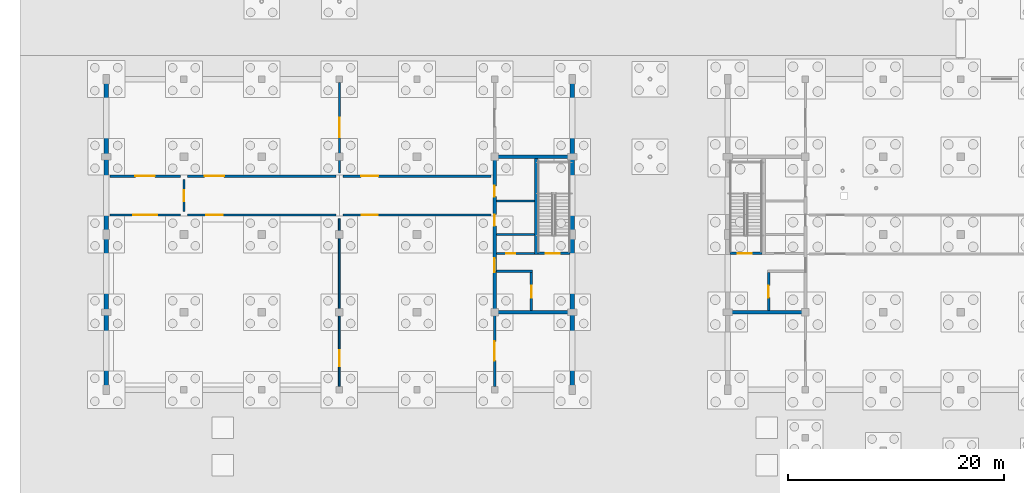
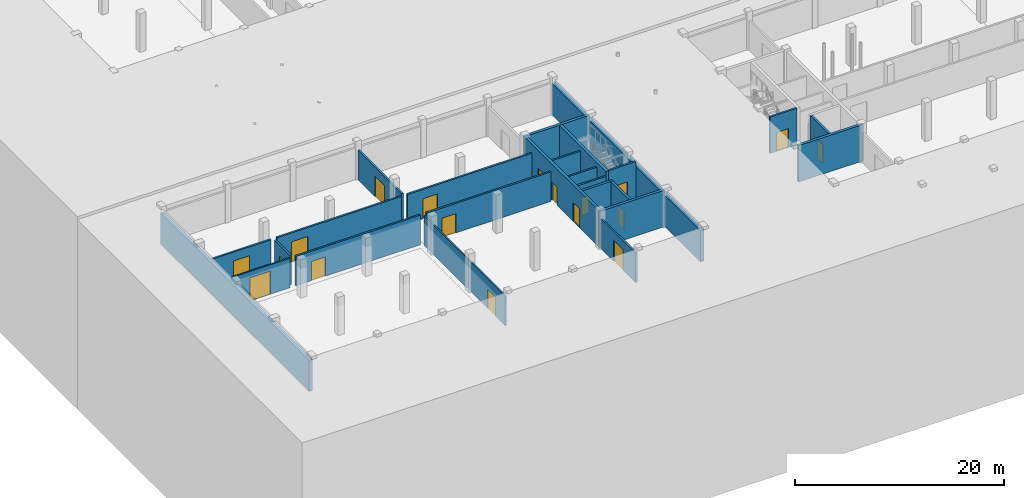
# One storey, part 24 of 51: 25 walls, 18 doors, 18 openings.
"""IFC4 building model written with IfcOpenShell, lengths in metres."""

from ifc_helpers import new_model, si_unit, direction, frame, frame_2d, origin, place, context, subcontext, project, spatial, rectangle, extrude, material, layer, layer_set, type_object, element, fill, save


model = new_model("IFC4")

# Units and contexts
model_context = context("Model", 3, precision=1e-05, world=origin(), true_north=direction((0.0, 1.0)))
body_context = subcontext(model_context, "Body", "Model", "MODEL_VIEW")
ifc_project = project(units=[si_unit("LENGTHUNIT", "METRE"), si_unit("AREAUNIT", "SQUARE_METRE"), si_unit("VOLUMEUNIT", "CUBIC_METRE"), si_unit("PLANEANGLEUNIT", "RADIAN"), si_unit("MASSUNIT", "GRAM", prefix="KILO")], contexts=[model_context])

# Site, building, storey
site_placement = place(None, origin())
site = spatial("IfcSite", under=ifc_project, at=site_placement, CompositionType="ELEMENT")
building_placement = place(site_placement, origin())
building = spatial("IfcBuilding", under=site, at=building_placement, Name="Zlatovets Crest Museum", CompositionType="ELEMENT")
storey_placement = place(building_placement, frame((0.0, 0.0, -4.5)))
storey = spatial("IfcBuildingStorey", under=building, at=storey_placement, Name="B1", CompositionType="ELEMENT", Elevation=-4.5)

# Walls
ifc_material_1 = material(Name="Concrete C35/45", Category="concrete")
ifc_layer_1 = layer(ifc_material_1, 0.300048828125)
ifc_layer_set_1 = layer_set([ifc_layer_1], Name="Concrete C35/45")
wall_type_1 = type_object("IfcWallType", Name="CoreWall_SW01", PredefinedType="SHEAR", material=ifc_layer_set_1)
for number, where, z_axis, x_axis, name in (
    (1, (57.800048828125, 7.199951171875, 0.0), (0.0, 0.0, 1.0), (1.0, 0.0, 0.0), "Core C2 B1 South Shear Wall"),
    (2, (35.85009765625, 7.199951171875, 0.0), (0.0, 0.0, 1.0), (1.0, 0.0, 0.0), "Core C3 B1 South Shear Wall"),
    (3, (35.85009765625, 21.60009765625, 0.0), (0.0, 0.0, 1.0), (1.0, 0.0, 0.0), "Core C3 B1 North Shear Wall"),
):
    element("IfcWall", number, at=place(storey_placement, frame(where, z_axis=z_axis, x_axis=x_axis)), inside=storey, type_object=wall_type_1, Name=name, PredefinedType="SHEAR", context=body_context, shape_type="SweptSolid", body=[
        extrude(rectangle(XDim=7.14990234375, YDim=0.300048828125, at=frame_2d((3.574951171875, 0.0))), origin(), (0.0, 0.0, 1.0), 4.25),
    ])

# Wall, openings, doors
wall_1_placement = place(storey_placement, frame((36.0, 7.35009765625, 0.0), z_axis=(0.0, 0.0, 1.0), x_axis=(0.0, 1.0, 0.0)))
wall_1 = element("IfcWall", 4, at=wall_1_placement, inside=storey, type_object=wall_type_1, Name="Core C3 B1 Spine Shear Wall", PredefinedType="SHEAR", context=body_context, shape_type="SweptSolid", body=[
    extrude(rectangle(XDim=14.099853515625, YDim=0.300048828125, at=frame_2d((7.0498046875, 0.0))), origin(), (0.0, 0.0, 1.0), 4.25),
])
opening_1_placement = place(wall_1_placement, frame((3.550048828125, 0.0, 0.0)))
opening_1 = element("IfcOpeningElement", 5, at=opening_1_placement, cuts=wall_1, Name="Opening FD-01", PredefinedType="OPENING", context=body_context, shape_type="SweptSolid", body=[
    extrude(rectangle(XDim=1.300048828125, YDim=2.199951171875, at=frame_2d((0.64990234375, 1.10009765625))), frame((0.0, 0.16015625, 0.0), z_axis=(0.0, -1.0, 0.0), x_axis=(1.0, 0.0, 0.0)), (0.0, 0.0, 1.0), 0.320068359375),
])
opening_2_placement = place(wall_1_placement, frame((7.85009765625, 0.0, 0.0)))
opening_2 = element("IfcOpeningElement", 6, at=opening_2_placement, cuts=wall_1, Name="Opening ID-02", PredefinedType="OPENING", context=body_context, shape_type="SweptSolid", body=[
    extrude(rectangle(XDim=1.050048828125, YDim=2.14990234375, at=frame_2d((0.52490234375, 1.074951171875))), frame((0.0, 0.16015625, 0.0), z_axis=(0.0, -1.0, 0.0), x_axis=(1.0, 0.0, 0.0)), (0.0, 0.0, 1.0), 0.320068359375),
])
opening_3_placement = place(wall_1_placement, frame((10.550048828125, 0.0, 0.0)))
opening_3 = element("IfcOpeningElement", 7, at=opening_3_placement, cuts=wall_1, Name="Opening ID-01", PredefinedType="OPENING", context=body_context, shape_type="SweptSolid", body=[
    extrude(rectangle(XDim=1.0, YDim=2.14990234375, at=frame_2d((0.5, 1.074951171875))), frame((0.0, 0.16015625, 0.0), z_axis=(0.0, -1.0, 0.0), x_axis=(1.0, 0.0, 0.0)), (0.0, 0.0, 1.0), 0.320068359375),
])
ifc_material_2 = material(Name="Smoke-sealed steel fire door", Category="steel")
door_type_1 = type_object("IfcDoorType", Name="IntDoor_FD-01", OperationType="NOTDEFINED", PredefinedType="DOOR", material=ifc_material_2)
door_1_placement = place(opening_1_placement, origin())
door_1 = element("IfcDoor", 8, at=door_1_placement, inside=storey, type_object=door_type_1, Name="CDOOR-C3-B1-LOB Core C3 B1 Lobby Fire Door", OperationType="SINGLE_SWING_LEFT", OverallHeight=2.199951171875, OverallWidth=1.300048828125, PredefinedType="DOOR", context=body_context, shape_type="SweptSolid", body=[
    extrude(rectangle(XDim=1.300048828125, YDim=2.199951171875, at=frame_2d((0.64990234375, 1.10009765625))), frame((0.0, 0.02490234375, 0.0), z_axis=(0.0, -1.0, 0.0), x_axis=(1.0, 0.0, 0.0)), (0.0, 0.0, 1.0), 0.050048828125),
])
fill(opening_1, door_1)
ifc_material_3 = material(Name="Solid oak museum room door")
door_type_2 = type_object("IfcDoorType", Name="IntDoor_ID-01", OperationType="NOTDEFINED", PredefinedType="DOOR", material=ifc_material_3)
door_2_placement = place(opening_3_placement, origin())
door_2 = element("IfcDoor", 9, at=door_2_placement, inside=storey, type_object=door_type_2, Name="CDOOR-C3-B1-WC Core C3 B1 Public Restroom Door", OperationType="SINGLE_SWING_RIGHT", OverallHeight=2.14990234375, OverallWidth=1.0, PredefinedType="DOOR", context=body_context, shape_type="SweptSolid", body=[
    extrude(rectangle(XDim=1.0, YDim=2.14990234375, at=frame_2d((0.5, 1.074951171875))), frame((0.0, 0.02490234375, 0.0), z_axis=(0.0, -1.0, 0.0), x_axis=(1.0, 0.0, 0.0)), (0.0, 0.0, 1.0), 0.050048828125),
])
fill(opening_3, door_2)
ifc_material_4 = material(Name="Accessible sanitary room door")
door_type_3 = type_object("IfcDoorType", Name="IntDoor_ID-02", OperationType="NOTDEFINED", PredefinedType="DOOR", material=ifc_material_4)
door_3_placement = place(opening_2_placement, origin())
door_3 = element("IfcDoor", 10, at=door_3_placement, inside=storey, type_object=door_type_3, Name="CDOOR-C3-B1-AWC Core C3 B1 Accessible WC Door", OperationType="SINGLE_SWING_LEFT", OverallHeight=2.14990234375, OverallWidth=1.050048828125, PredefinedType="DOOR", context=body_context, shape_type="SweptSolid", body=[
    extrude(rectangle(XDim=1.050048828125, YDim=2.14990234375, at=frame_2d((0.52490234375, 1.074951171875))), frame((0.0, 0.02490234375, 0.0), z_axis=(0.0, -1.0, 0.0), x_axis=(1.0, 0.0, 0.0)), (0.0, 0.0, 1.0), 0.050048828125),
])
fill(opening_2, door_3)

# Wall
wall_2_placement = place(storey_placement, frame((39.85009765625, 12.5400390625, 0.0), z_axis=(0.0, 0.0, 1.0), x_axis=(0.0, 1.0, 0.0)))
element("IfcWall", 11, at=wall_2_placement, inside=storey, type_object=wall_type_1, Name="Core C3 B1 Stair Divider Wall", PredefinedType="SHEAR", context=body_context, shape_type="SweptSolid", body=[
    extrude(rectangle(XDim=8.909912109375, YDim=0.300048828125, at=frame_2d((4.455078125, 0.0))), origin(), (0.0, 0.0, 1.0), 4.25),
])

# Wall, opening, door
ifc_layer_2 = layer(ifc_material_1, 0.25)
ifc_layer_set_2 = layer_set([ifc_layer_2], Name="Concrete C35/45")
wall_type_2 = type_object("IfcWallType", Name="CoreWall_SW02", PredefinedType="SHEAR", material=ifc_layer_set_2)
wall_3_placement = place(storey_placement, frame((61.39990234375, 7.35009765625, 0.0), z_axis=(0.0, 0.0, 1.0), x_axis=(0.0, 1.0, 0.0)))
wall_3 = element("IfcWall", 12, at=wall_3_placement, inside=storey, type_object=wall_type_2, Name="Core C2 B1 Lift Shaft Wall", PredefinedType="SHEAR", context=body_context, shape_type="SweptSolid", body=[
    extrude(rectangle(XDim=3.52490234375, YDim=0.25, at=frame_2d((1.762451171875, 0.0))), origin(), (0.0, 0.0, 1.0), 4.25),
])
opening_4_placement = place(wall_3_placement, frame((1.199951171875, 0.0, 0.0)))
opening_4 = element("IfcOpeningElement", 13, at=opening_4_placement, cuts=wall_3, Name="Opening LD-01", PredefinedType="OPENING", context=body_context, shape_type="SweptSolid", body=[
    extrude(rectangle(XDim=1.10009765625, YDim=2.14990234375, at=frame_2d((0.550048828125, 1.074951171875))), frame((0.0, 0.135009765625, 0.0), z_axis=(0.0, -1.0, 0.0), x_axis=(1.0, 0.0, 0.0)), (0.0, 0.0, 1.0), 0.27001953125),
])
ifc_material_5 = material(Name="Stainless-bronze sliding lift landing door")
door_type_4 = type_object("IfcDoorType", Name="IntDoor_LD-01", OperationType="SLIDING_TO_LEFT", PredefinedType="DOOR", material=ifc_material_5)
door_4_placement = place(opening_4_placement, origin())
door_4 = element("IfcDoor", 14, at=door_4_placement, inside=storey, type_object=door_type_4, Name="LDOOR-PL3-B1 Lift PL3 B1 Sliding Landing Door", OperationType="SLIDING_TO_LEFT", OverallHeight=2.14990234375, OverallWidth=1.10009765625, PredefinedType="DOOR", context=body_context, shape_type="SweptSolid", body=[
    extrude(rectangle(XDim=1.10009765625, YDim=2.14990234375, at=frame_2d((0.550048828125, 1.074951171875))), frame((0.0, 0.02490234375, 0.0), z_axis=(0.0, -1.0, 0.0), x_axis=(1.0, 0.0, 0.0)), (0.0, 0.0, 1.0), 0.050048828125),
])
fill(opening_4, door_4)

wall_4_placement = place(storey_placement, frame((57.800048828125, 12.64990234375, 0.0), z_axis=(0.0, 0.0, 1.0), x_axis=(1.0, 0.0, 0.0)))
wall_4 = element("IfcWall", 15, at=wall_4_placement, inside=storey, type_object=wall_type_2, Name="Core C2 B1 Stairwell Fire Wall", PredefinedType="SHEAR", context=body_context, shape_type="SweptSolid", body=[
    extrude(rectangle(XDim=3.0, YDim=0.219970703125, at=frame_2d((1.5, 0.0))), origin(), (0.0, 0.0, 1.0), 4.25),
])
opening_5_placement = place(wall_4_placement, frame((0.75, 0.0, 0.0)))
opening_5 = element("IfcOpeningElement", 16, at=opening_5_placement, cuts=wall_4, Name="Opening FD-01", PredefinedType="OPENING", context=body_context, shape_type="SweptSolid", body=[
    extrude(rectangle(XDim=1.300048828125, YDim=2.199951171875, at=frame_2d((0.64990234375, 1.10009765625))), frame((0.0, 0.1201171875, 0.0), z_axis=(0.0, -1.0, 0.0), x_axis=(1.0, 0.0, 0.0)), (0.0, 0.0, 1.0), 0.239990234375),
])
door_5_placement = place(opening_5_placement, origin())
door_5 = element("IfcDoor", 17, at=door_5_placement, inside=storey, type_object=door_type_1, Name="SDOOR-ST2-B1 Stair ST2 B1 Fire Door", OperationType="SINGLE_SWING_LEFT", OverallHeight=2.199951171875, OverallWidth=1.300048828125, PredefinedType="DOOR", context=body_context, shape_type="SweptSolid", body=[
    extrude(rectangle(XDim=1.300048828125, YDim=2.199951171875, at=frame_2d((0.64990234375, 1.10009765625))), frame((0.0, 0.02490234375, 0.0), z_axis=(0.0, -1.0, 0.0), x_axis=(1.0, 0.0, 0.0)), (0.0, 0.0, 1.0), 0.050048828125),
])
fill(opening_5, door_5)

wall_5_placement = place(storey_placement, frame((39.39990234375, 7.35009765625, 0.0), z_axis=(0.0, 0.0, 1.0), x_axis=(0.0, 1.0, 0.0)))
wall_5 = element("IfcWall", 18, at=wall_5_placement, inside=storey, type_object=wall_type_2, Name="Core C3 B1 Lift Shaft Wall", PredefinedType="SHEAR", context=body_context, shape_type="SweptSolid", body=[
    extrude(rectangle(XDim=3.52490234375, YDim=0.25, at=frame_2d((1.762451171875, 0.0))), origin(), (0.0, 0.0, 1.0), 4.25),
])
opening_6_placement = place(wall_5_placement, frame((1.199951171875, 0.0, 0.0)))
opening_6 = element("IfcOpeningElement", 19, at=opening_6_placement, cuts=wall_5, Name="Opening LD-01", PredefinedType="OPENING", context=body_context, shape_type="SweptSolid", body=[
    extrude(rectangle(XDim=1.10009765625, YDim=2.14990234375, at=frame_2d((0.550048828125, 1.074951171875))), frame((0.0, 0.135009765625, 0.0), z_axis=(0.0, -1.0, 0.0), x_axis=(1.0, 0.0, 0.0)), (0.0, 0.0, 1.0), 0.27001953125),
])
door_6_placement = place(opening_6_placement, origin())
door_6 = element("IfcDoor", 20, at=door_6_placement, inside=storey, type_object=door_type_4, Name="LDOOR-PL1-B1 Lift PL1 B1 Sliding Landing Door", OperationType="SLIDING_TO_LEFT", OverallHeight=2.14990234375, OverallWidth=1.10009765625, PredefinedType="DOOR", context=body_context, shape_type="SweptSolid", body=[
    extrude(rectangle(XDim=1.10009765625, YDim=2.14990234375, at=frame_2d((0.550048828125, 1.074951171875))), frame((0.0, 0.02490234375, 0.0), z_axis=(0.0, -1.0, 0.0), x_axis=(1.0, 0.0, 0.0)), (0.0, 0.0, 1.0), 0.050048828125),
])
fill(opening_6, door_6)

wall_6_placement = place(storey_placement, frame((40.0, 12.64990234375, 0.0), z_axis=(0.0, 0.0, 1.0), x_axis=(1.0, 0.0, 0.0)))
wall_6 = element("IfcWall", 21, at=wall_6_placement, inside=storey, type_object=wall_type_2, Name="Core C3 B1 Stairwell Fire Wall", PredefinedType="SHEAR", context=body_context, shape_type="SweptSolid", body=[
    extrude(rectangle(XDim=3.0, YDim=0.219970703125, at=frame_2d((1.5, 0.0))), origin(), (0.0, 0.0, 1.0), 4.25),
])
opening_7_placement = place(wall_6_placement, frame((0.75, 0.0, 0.0)))
opening_7 = element("IfcOpeningElement", 22, at=opening_7_placement, cuts=wall_6, Name="Opening FD-01", PredefinedType="OPENING", context=body_context, shape_type="SweptSolid", body=[
    extrude(rectangle(XDim=1.300048828125, YDim=2.199951171875, at=frame_2d((0.64990234375, 1.10009765625))), frame((0.0, 0.1201171875, 0.0), z_axis=(0.0, -1.0, 0.0), x_axis=(1.0, 0.0, 0.0)), (0.0, 0.0, 1.0), 0.239990234375),
])
door_7_placement = place(opening_7_placement, origin())
door_7 = element("IfcDoor", 23, at=door_7_placement, inside=storey, type_object=door_type_1, Name="SDOOR-ST3-B1 Stair ST3 B1 Fire Door", OperationType="SINGLE_SWING_LEFT", OverallHeight=2.199951171875, OverallWidth=1.300048828125, PredefinedType="DOOR", context=body_context, shape_type="SweptSolid", body=[
    extrude(rectangle(XDim=1.300048828125, YDim=2.199951171875, at=frame_2d((0.64990234375, 1.10009765625))), frame((0.0, 0.02490234375, 0.0), z_axis=(0.0, -1.0, 0.0), x_axis=(1.0, 0.0, 0.0)), (0.0, 0.0, 1.0), 0.050048828125),
])
fill(opening_7, door_7)

# Wall
wall_7_placement = place(storey_placement, frame((36.14990234375, 11.0, 0.0), z_axis=(0.0, 0.0, 1.0), x_axis=(1.0, 0.0, 0.0)))
element("IfcWall", 24, at=wall_7_placement, inside=storey, type_object=wall_type_2, Name="Core C3 B1 Lift Shaft North Shear Wall", PredefinedType="SHEAR", context=body_context, shape_type="SweptSolid", body=[
    extrude(rectangle(XDim=3.375, YDim=0.25, at=frame_2d((1.6875, 0.0))), origin(), (0.0, 0.0, 1.0), 4.25),
])

# Wall, opening, door
ifc_material_6 = material(Name="Gypsum-encased fire compartment partition")
ifc_layer_3 = layer(ifc_material_6, 0.199951171875)
ifc_layer_set_3 = layer_set([ifc_layer_3], Name="Gypsum-encased fire compartment partition")
wall_type_3 = type_object("IfcWallType", Name="PartWall_PT-01", PredefinedType="PARTITIONING", material=ifc_layer_set_3)
wall_8_placement = place(storey_placement, frame((7.52001953125, 16.199951171875, 0.0), z_axis=(0.0, 0.0, 1.0), x_axis=(1.0, 0.0, 0.0)))
wall_8 = element("IfcWall", 25, at=wall_8_placement, inside=storey, type_object=wall_type_3, Name="V3 B1 Interior Partition PT-01", PredefinedType="PARTITIONING", context=body_context, shape_type="SweptSolid", body=[
    extrude(rectangle(XDim=13.760009765625, YDim=0.199951171875, at=frame_2d((6.8798828125, 0.0))), origin(), (0.0, 0.0, 1.0), 3.449951171875),
])
opening_8_placement = place(wall_8_placement, frame((1.751708984375, 0.0, 0.0)))
opening_8 = element("IfcOpeningElement", 26, at=opening_8_placement, cuts=wall_8, Name="Opening FD-02", PredefinedType="OPENING", context=body_context, shape_type="SweptSolid", body=[
    extrude(rectangle(XDim=1.5, YDim=2.25, at=frame_2d((0.75, 1.125))), frame((0.0, 0.10986328125, 0.0), z_axis=(0.0, -1.0, 0.0), x_axis=(1.0, 0.0, 0.0)), (0.0, 0.0, 1.0), 0.219970703125),
])
ifc_material_7 = material(Name="Double corridor compartment fire door")
door_type_5 = type_object("IfcDoorType", Name="IntDoor_FD-02", OperationType="DOUBLE_DOOR_SINGLE_SWING", PredefinedType="DOOR", material=ifc_material_7)
door_8_placement = place(opening_8_placement, origin())
door_8 = element("IfcDoor", 27, at=door_8_placement, inside=storey, type_object=door_type_5, Name="IDOOR-V3-B1-0021 Auditorium Lower Corridor to Speaker Green Room and Lecture Prep Door", OperationType="DOUBLE_DOOR_SINGLE_SWING", OverallHeight=2.25, OverallWidth=1.5, PredefinedType="DOOR", context=body_context, shape_type="SweptSolid", body=[
    extrude(rectangle(XDim=1.5, YDim=2.25, at=frame_2d((0.75, 1.125))), frame((0.0, 0.02490234375, 0.0), z_axis=(0.0, -1.0, 0.0), x_axis=(1.0, 0.0, 0.0)), (0.0, 0.0, 1.0), 0.050048828125),
])
fill(opening_8, door_8)

wall_9_placement = place(storey_placement, frame((7.52001953125, 19.800048828125, 0.0), z_axis=(0.0, 0.0, 1.0), x_axis=(1.0, 0.0, 0.0)))
wall_9 = element("IfcWall", 28, at=wall_9_placement, inside=storey, type_object=wall_type_3, Name="V3 B1 Interior Partition PT-01", PredefinedType="PARTITIONING", context=body_context, shape_type="SweptSolid", body=[
    extrude(rectangle(XDim=13.760009765625, YDim=0.199951171875, at=frame_2d((6.8798828125, 0.0))), origin(), (0.0, 0.0, 1.0), 3.449951171875),
])
opening_9_placement = place(wall_9_placement, frame((1.601806640625, 0.0, 0.0)))
opening_9 = element("IfcOpeningElement", 29, at=opening_9_placement, cuts=wall_9, Name="Opening FD-04", PredefinedType="OPENING", context=body_context, shape_type="SweptSolid", body=[
    extrude(rectangle(XDim=1.800048828125, YDim=2.39990234375, at=frame_2d((0.89990234375, 1.199951171875))), frame((0.0, 0.10986328125, 0.0), z_axis=(0.0, -1.0, 0.0), x_axis=(1.0, 0.0, 0.0)), (0.0, 0.0, 1.0), 0.219970703125),
])
ifc_material_8 = material(Name="Archive vault heavy fire door")
door_type_6 = type_object("IfcDoorType", Name="IntDoor_FD-04", OperationType="DOUBLE_DOOR_SINGLE_SWING", PredefinedType="DOOR", material=ifc_material_8)
door_9_placement = place(opening_9_placement, origin())
door_9 = element("IfcDoor", 30, at=door_9_placement, inside=storey, type_object=door_type_6, Name="IDOOR-V3-B1-0022 Auditorium Lower Corridor to Audiovisual and Film Archive Door", OperationType="DOUBLE_DOOR_SINGLE_SWING", OverallHeight=2.39990234375, OverallWidth=1.800048828125, PredefinedType="DOOR", context=body_context, shape_type="SweptSolid", body=[
    extrude(rectangle(XDim=1.800048828125, YDim=2.39990234375, at=frame_2d((0.89990234375, 1.199951171875))), frame((0.0, 0.02490234375, 0.0), z_axis=(0.0, -1.0, 0.0), x_axis=(1.0, 0.0, 0.0)), (0.0, 0.0, 1.0), 0.050048828125),
])
fill(opening_9, door_9)

wall_10_placement = place(storey_placement, frame((7.199951171875, 16.52001953125, 0.0), z_axis=(0.0, 0.0, 1.0), x_axis=(0.0, 1.0, 0.0)))
wall_10 = element("IfcWall", 31, at=wall_10_placement, inside=storey, type_object=wall_type_3, Name="V3 B1 Interior Partition PT-01", PredefinedType="PARTITIONING", context=body_context, shape_type="SweptSolid", body=[
    extrude(rectangle(XDim=2.9599609375, YDim=0.199951171875, at=frame_2d((1.47998046875, 0.0))), origin(), (0.0, 0.0, 1.0), 3.449951171875),
])
opening_10_placement = place(wall_10_placement, frame((0.97998046875, 0.0, 0.0)))
opening_10 = element("IfcOpeningElement", 32, at=opening_10_placement, cuts=wall_10, Name="Opening ID-01", PredefinedType="OPENING", context=body_context, shape_type="SweptSolid", body=[
    extrude(rectangle(XDim=1.0, YDim=2.14990234375, at=frame_2d((0.5, 1.074951171875))), frame((0.0, 0.10986328125, 0.0), z_axis=(0.0, -1.0, 0.0), x_axis=(1.0, 0.0, 0.0)), (0.0, 0.0, 1.0), 0.219970703125),
])
door_10_placement = place(opening_10_placement, origin())
door_10 = element("IfcDoor", 33, at=door_10_placement, inside=storey, type_object=door_type_2, Name="IDOOR-V3-B1-0023 Auditorium Lower Corridor to Recording Control Room Door", OperationType="SINGLE_SWING_RIGHT", OverallHeight=2.14990234375, OverallWidth=1.0, PredefinedType="DOOR", context=body_context, shape_type="SweptSolid", body=[
    extrude(rectangle(XDim=1.0, YDim=2.14990234375, at=frame_2d((0.5, 1.074951171875))), frame((0.0, 0.02490234375, 0.0), z_axis=(0.0, -1.0, 0.0), x_axis=(1.0, 0.0, 0.0)), (0.0, 0.0, 1.0), 0.050048828125),
])
fill(opening_10, door_10)

wall_11_placement = place(storey_placement, frame((21.919921875, 16.199951171875, 0.0), z_axis=(0.0, 0.0, 1.0), x_axis=(1.0, 0.0, 0.0)))
wall_11 = element("IfcWall", 34, at=wall_11_placement, inside=storey, type_object=wall_type_3, Name="V3 B1 Interior Partition PT-01", PredefinedType="PARTITIONING", context=body_context, shape_type="SweptSolid", body=[
    extrude(rectangle(XDim=13.760009765625, YDim=0.199951171875, at=frame_2d((6.8798828125, 0.0))), origin(), (0.0, 0.0, 1.0), 3.449951171875),
])
opening_11_placement = place(wall_11_placement, frame((1.751708984375, 0.0, 0.0)))
opening_11 = element("IfcOpeningElement", 35, at=opening_11_placement, cuts=wall_11, Name="Opening FD-02", PredefinedType="OPENING", context=body_context, shape_type="SweptSolid", body=[
    extrude(rectangle(XDim=1.5, YDim=2.25, at=frame_2d((0.75, 1.125))), frame((0.0, 0.10986328125, 0.0), z_axis=(0.0, -1.0, 0.0), x_axis=(1.0, 0.0, 0.0)), (0.0, 0.0, 1.0), 0.219970703125),
])
door_11_placement = place(opening_11_placement, origin())
door_11 = element("IfcDoor", 36, at=door_11_placement, inside=storey, type_object=door_type_5, Name="IDOOR-V3-B1-0024 Auditorium Lower Corridor to Cafe Preparation Commissary Door", OperationType="DOUBLE_DOOR_SINGLE_SWING", OverallHeight=2.25, OverallWidth=1.5, PredefinedType="DOOR", context=body_context, shape_type="SweptSolid", body=[
    extrude(rectangle(XDim=1.5, YDim=2.25, at=frame_2d((0.75, 1.125))), frame((0.0, 0.02490234375, 0.0), z_axis=(0.0, -1.0, 0.0), x_axis=(1.0, 0.0, 0.0)), (0.0, 0.0, 1.0), 0.050048828125),
])
fill(opening_11, door_11)

wall_12_placement = place(storey_placement, frame((21.919921875, 19.800048828125, 0.0), z_axis=(0.0, 0.0, 1.0), x_axis=(1.0, 0.0, 0.0)))
wall_12 = element("IfcWall", 37, at=wall_12_placement, inside=storey, type_object=wall_type_3, Name="V3 B1 Interior Partition PT-01", PredefinedType="PARTITIONING", context=body_context, shape_type="SweptSolid", body=[
    extrude(rectangle(XDim=13.760009765625, YDim=0.199951171875, at=frame_2d((6.8798828125, 0.0))), origin(), (0.0, 0.0, 1.0), 3.449951171875),
])
opening_12_placement = place(wall_12_placement, frame((1.701904296875, 0.0, 0.0)))
opening_12 = element("IfcOpeningElement", 38, at=opening_12_placement, cuts=wall_12, Name="Opening ID-04", PredefinedType="OPENING", context=body_context, shape_type="SweptSolid", body=[
    extrude(rectangle(XDim=1.60009765625, YDim=2.35009765625, at=frame_2d((0.800048828125, 1.175048828125))), frame((0.0, 0.10986328125, 0.0), z_axis=(0.0, -1.0, 0.0), x_axis=(1.0, 0.0, 0.0)), (0.0, 0.0, 1.0), 0.219970703125),
])
ifc_material_9 = material(Name="Gallery salon double portal door")
door_type_7 = type_object("IfcDoorType", Name="IntDoor_ID-04", OperationType="DOUBLE_DOOR_SINGLE_SWING", PredefinedType="DOOR", material=ifc_material_9)
door_12_placement = place(opening_12_placement, origin())
door_12 = element("IfcDoor", 39, at=door_12_placement, inside=storey, type_object=door_type_7, Name="IDOOR-V3-B1-0025 Auditorium Lower Corridor to Auditorium Acoustic AHU Room Door", OperationType="DOUBLE_DOOR_SINGLE_SWING", OverallHeight=2.35009765625, OverallWidth=1.60009765625, PredefinedType="DOOR", context=body_context, shape_type="SweptSolid", body=[
    extrude(rectangle(XDim=1.60009765625, YDim=2.35009765625, at=frame_2d((0.800048828125, 1.175048828125))), frame((0.0, 0.02490234375, 0.0), z_axis=(0.0, -1.0, 0.0), x_axis=(1.0, 0.0, 0.0)), (0.0, 0.0, 1.0), 0.050048828125),
])
fill(opening_12, door_12)

wall_13_placement = place(storey_placement, frame((0.320068359375, 19.800048828125, 0.0), z_axis=(0.0, 0.0, 1.0), x_axis=(1.0, 0.0, 0.0)))
wall_13 = element("IfcWall", 40, at=wall_13_placement, inside=storey, type_object=wall_type_3, Name="V3 B1 Interior Partition PT-01", PredefinedType="PARTITIONING", context=body_context, shape_type="SweptSolid", body=[
    extrude(rectangle(XDim=6.559814453125, YDim=0.199951171875, at=frame_2d((3.27978515625, 0.0))), origin(), (0.0, 0.0, 1.0), 3.449951171875),
])
opening_13_placement = place(wall_13_placement, frame((2.3798828125, 0.0, 0.0)))
opening_13 = element("IfcOpeningElement", 41, at=opening_13_placement, cuts=wall_13, Name="Opening FD-04", PredefinedType="OPENING", context=body_context, shape_type="SweptSolid", body=[
    extrude(rectangle(XDim=1.800048828125, YDim=2.39990234375, at=frame_2d((0.89990234375, 1.199951171875))), frame((0.0, 0.10986328125, 0.0), z_axis=(0.0, -1.0, 0.0), x_axis=(1.0, 0.0, 0.0)), (0.0, 0.0, 1.0), 0.219970703125),
])
door_13_placement = place(opening_13_placement, origin())
door_13 = element("IfcDoor", 42, at=door_13_placement, inside=storey, type_object=door_type_6, Name="IDOOR-V3-B1-0028 Audiovisual and Film Archive to Recording Control Room Door", OperationType="DOUBLE_DOOR_SINGLE_SWING", OverallHeight=2.39990234375, OverallWidth=1.800048828125, PredefinedType="DOOR", context=body_context, shape_type="SweptSolid", body=[
    extrude(rectangle(XDim=1.800048828125, YDim=2.39990234375, at=frame_2d((0.89990234375, 1.199951171875))), frame((0.0, 0.02490234375, 0.0), z_axis=(0.0, -1.0, 0.0), x_axis=(1.0, 0.0, 0.0)), (0.0, 0.0, 1.0), 0.050048828125),
])
fill(opening_13, door_13)

wall_14_placement = place(storey_placement, frame((21.60009765625, 20.1201171875, 0.0), z_axis=(0.0, 0.0, 1.0), x_axis=(0.0, 1.0, 0.0)))
wall_14 = element("IfcWall", 43, at=wall_14_placement, inside=storey, type_object=wall_type_3, Name="V3 B1 Interior Partition PT-01", PredefinedType="PARTITIONING", context=body_context, shape_type="SweptSolid", body=[
    extrude(rectangle(XDim=8.35986328125, YDim=0.199951171875, at=frame_2d((4.179931640625, 0.0))), origin(), (0.0, 0.0, 1.0), 3.449951171875),
])
opening_14_placement = place(wall_14_placement, frame((3.280029296875, 0.0, 0.0)))
opening_14 = element("IfcOpeningElement", 44, at=opening_14_placement, cuts=wall_14, Name="Opening FD-04", PredefinedType="OPENING", context=body_context, shape_type="SweptSolid", body=[
    extrude(rectangle(XDim=1.800048828125, YDim=2.39990234375, at=frame_2d((0.89990234375, 1.199951171875))), frame((0.0, 0.10986328125, 0.0), z_axis=(0.0, -1.0, 0.0), x_axis=(1.0, 0.0, 0.0)), (0.0, 0.0, 1.0), 0.219970703125),
])
door_14_placement = place(opening_14_placement, origin())
door_14 = element("IfcDoor", 45, at=door_14_placement, inside=storey, type_object=door_type_6, Name="IDOOR-V3-B1-0029 Audiovisual and Film Archive to Auditorium Acoustic AHU Room Door", OperationType="DOUBLE_DOOR_SINGLE_SWING", OverallHeight=2.39990234375, OverallWidth=1.800048828125, PredefinedType="DOOR", context=body_context, shape_type="SweptSolid", body=[
    extrude(rectangle(XDim=1.800048828125, YDim=2.39990234375, at=frame_2d((0.89990234375, 1.199951171875))), frame((0.0, 0.02490234375, 0.0), z_axis=(0.0, -1.0, 0.0), x_axis=(1.0, 0.0, 0.0)), (0.0, 0.0, 1.0), 0.050048828125),
])
fill(opening_14, door_14)

wall_15_placement = place(storey_placement, frame((36.0, 0.320068359375, 0.0), z_axis=(0.0, 0.0, 1.0), x_axis=(0.0, 1.0, 0.0)))
wall_15 = element("IfcWall", 46, at=wall_15_placement, inside=storey, type_object=wall_type_3, Name="V3 B1 Interior Partition PT-01", PredefinedType="PARTITIONING", context=body_context, shape_type="SweptSolid", body=[
    extrude(rectangle(XDim=6.559814453125, YDim=0.199951171875, at=frame_2d((3.27978515625, 0.0))), origin(), (0.0, 0.0, 1.0), 3.449951171875),
])
opening_15_placement = place(wall_15_placement, frame((2.3798828125, 0.0, 0.0)))
opening_15 = element("IfcOpeningElement", 47, at=opening_15_placement, cuts=wall_15, Name="Opening FD-04", PredefinedType="OPENING", context=body_context, shape_type="SweptSolid", body=[
    extrude(rectangle(XDim=1.800048828125, YDim=2.39990234375, at=frame_2d((0.89990234375, 1.199951171875))), frame((0.0, 0.10986328125, 0.0), z_axis=(0.0, -1.0, 0.0), x_axis=(1.0, 0.0, 0.0)), (0.0, 0.0, 1.0), 0.219970703125),
])
door_15_placement = place(opening_15_placement, origin())
door_15 = element("IfcDoor", 48, at=door_15_placement, inside=storey, type_object=door_type_6, Name="IDOOR-V3-B1-0030 Cafe Preparation Commissary to Chair and Stage Store Door", OperationType="DOUBLE_DOOR_SINGLE_SWING", OverallHeight=2.39990234375, OverallWidth=1.800048828125, PredefinedType="DOOR", context=body_context, shape_type="SweptSolid", body=[
    extrude(rectangle(XDim=1.800048828125, YDim=2.39990234375, at=frame_2d((0.89990234375, 1.199951171875))), frame((0.0, 0.02490234375, 0.0), z_axis=(0.0, -1.0, 0.0), x_axis=(1.0, 0.0, 0.0)), (0.0, 0.0, 1.0), 0.050048828125),
])
fill(opening_15, door_15)

ifc_material_10 = material(Name="Acoustic museum gallery stud partition")
ifc_layer_4 = layer(ifc_material_10, 0.159912109375)
ifc_layer_set_4 = layer_set([ifc_layer_4], Name="Acoustic museum gallery stud partition")
wall_type_4 = type_object("IfcWallType", Name="PartWall_PT-02", PredefinedType="PARTITIONING", material=ifc_layer_set_4)
wall_16_placement = place(storey_placement, frame((0.320068359375, 16.199951171875, 0.0), z_axis=(0.0, 0.0, 1.0), x_axis=(1.0, 0.0, 0.0)))
wall_16 = element("IfcWall", 49, at=wall_16_placement, inside=storey, type_object=wall_type_4, Name="V3 B1 Interior Partition PT-02", PredefinedType="PARTITIONING", context=body_context, shape_type="SweptSolid", body=[
    extrude(rectangle(XDim=6.559814453125, YDim=0.159912109375, at=frame_2d((3.27978515625, 0.0))), origin(), (0.0, 0.0, 1.0), 3.449951171875),
])
opening_16_placement = place(wall_16_placement, frame((2.155029296875, 0.0, 0.0)))
opening_16 = element("IfcOpeningElement", 50, at=opening_16_placement, cuts=wall_16, Name="Opening ID-28", PredefinedType="OPENING", context=body_context, shape_type="SweptSolid", body=[
    extrude(rectangle(XDim=2.25, YDim=2.699951171875, at=frame_2d((1.125, 1.35009765625))), frame((0.0, 0.08984375, 0.0), z_axis=(0.0, -1.0, 0.0), x_axis=(1.0, 0.0, 0.0)), (0.0, 0.0, 1.0), 0.179931640625),
])
ifc_material_11 = material(Name="Ceremonial secession salon portal")
door_type_8 = type_object("IfcDoorType", Name="IntDoor_ID-28", OperationType="DOUBLE_DOOR_SINGLE_SWING", PredefinedType="DOOR", material=ifc_material_11)
door_16_placement = place(opening_16_placement, origin())
door_16 = element("IfcDoor", 51, at=door_16_placement, inside=storey, type_object=door_type_8, Name="IDOOR-V3-B1-0026 Speaker Green Room and Lecture Prep to Recording Control Room Door", OperationType="DOUBLE_DOOR_SINGLE_SWING", OverallHeight=2.699951171875, OverallWidth=2.25, PredefinedType="DOOR", context=body_context, shape_type="SweptSolid", body=[
    extrude(rectangle(XDim=2.25, YDim=2.699951171875, at=frame_2d((1.125, 1.35009765625))), frame((0.0, 0.02490234375, 0.0), z_axis=(0.0, -1.0, 0.0), x_axis=(1.0, 0.0, 0.0)), (0.0, 0.0, 1.0), 0.050048828125),
])
fill(opening_16, door_16)

wall_17_placement = place(storey_placement, frame((21.60009765625, 0.320068359375, 0.0), z_axis=(0.0, 0.0, 1.0), x_axis=(0.0, 1.0, 0.0)))
wall_17 = element("IfcWall", 52, at=wall_17_placement, inside=storey, type_object=wall_type_4, Name="V3 B1 Interior Partition PT-02", PredefinedType="PARTITIONING", context=body_context, shape_type="SweptSolid", body=[
    extrude(rectangle(XDim=15.559814453125, YDim=0.159912109375, at=frame_2d((7.77978515625, 0.0))), origin(), (0.0, 0.0, 1.0), 3.449951171875),
])
opening_17_placement = place(wall_17_placement, frame((1.84326171875, 0.0, 0.0)))
opening_17 = element("IfcOpeningElement", 53, at=opening_17_placement, cuts=wall_17, Name="Opening FD-02", PredefinedType="OPENING", context=body_context, shape_type="SweptSolid", body=[
    extrude(rectangle(XDim=1.5, YDim=2.25, at=frame_2d((0.75, 1.125))), frame((0.0, 0.08984375, 0.0), z_axis=(0.0, -1.0, 0.0), x_axis=(1.0, 0.0, 0.0)), (0.0, 0.0, 1.0), 0.179931640625),
])
door_17_placement = place(opening_17_placement, origin())
door_17 = element("IfcDoor", 54, at=door_17_placement, inside=storey, type_object=door_type_5, Name="IDOOR-V3-B1-0027 Speaker Green Room and Lecture Prep to Cafe Preparation Commissary Door", OperationType="DOUBLE_DOOR_SINGLE_SWING", OverallHeight=2.25, OverallWidth=1.5, PredefinedType="DOOR", context=body_context, shape_type="SweptSolid", body=[
    extrude(rectangle(XDim=1.5, YDim=2.25, at=frame_2d((0.75, 1.125))), frame((0.0, 0.02490234375, 0.0), z_axis=(0.0, -1.0, 0.0), x_axis=(1.0, 0.0, 0.0)), (0.0, 0.0, 1.0), 0.050048828125),
])
fill(opening_17, door_17)

ifc_material_12 = material(Name="Sanitary core acoustic service wall")
ifc_layer_5 = layer(ifc_material_12, 0.219970703125)
ifc_layer_set_5 = layer_set([ifc_layer_5], Name="Sanitary core acoustic service wall")
wall_type_5 = type_object("IfcWallType", Name="PartWall_PT-04", PredefinedType="PLUMBINGWALL", material=ifc_layer_set_5)
wall_18_placement = place(storey_placement, frame((36.14990234375, 12.64990234375, 0.0), z_axis=(0.0, 0.0, 1.0), x_axis=(1.0, 0.0, 0.0)))
wall_18 = element("IfcWall", 55, at=wall_18_placement, inside=storey, type_object=wall_type_5, Name="Core C3 B1 Riser Lobby Wall", PredefinedType="PLUMBINGWALL", context=body_context, shape_type="SweptSolid", body=[
    extrude(rectangle(XDim=3.550048828125, YDim=0.199951171875, at=frame_2d((1.77490234375, 0.0))), origin(), (0.0, 0.0, 1.0), 3.669921875),
])
opening_18_placement = place(wall_18_placement, frame((0.89990234375, 0.0, 0.0)))
opening_18 = element("IfcOpeningElement", 56, at=opening_18_placement, cuts=wall_18, Name="Opening FD-03", PredefinedType="OPENING", context=body_context, shape_type="SweptSolid", body=[
    extrude(rectangle(XDim=0.85009765625, YDim=2.050048828125, at=frame_2d((0.425048828125, 1.02490234375))), frame((0.0, 0.10986328125, 0.0), z_axis=(0.0, -1.0, 0.0), x_axis=(1.0, 0.0, 0.0)), (0.0, 0.0, 1.0), 0.219970703125),
])
ifc_material_13 = material(Name="Steel riser shaft access fire door", Category="steel")
door_type_9 = type_object("IfcDoorType", Name="IntDoor_FD-03", OperationType="NOTDEFINED", PredefinedType="TRAPDOOR", material=ifc_material_13)
door_18_placement = place(opening_18_placement, origin())
door_18 = element("IfcDoor", 57, at=door_18_placement, inside=storey, type_object=door_type_9, Name="CDOOR-C3-B1-RIS Core C3 B1 Riser Access Door", OperationType="SINGLE_SWING_RIGHT", OverallHeight=2.050048828125, OverallWidth=0.85009765625, PredefinedType="TRAPDOOR", context=body_context, shape_type="SweptSolid", body=[
    extrude(rectangle(XDim=0.85009765625, YDim=2.050048828125, at=frame_2d((0.425048828125, 1.02490234375))), frame((0.0, 0.02490234375, 0.0), z_axis=(0.0, -1.0, 0.0), x_axis=(1.0, 0.0, 0.0)), (0.0, 0.0, 1.0), 0.050048828125),
])
fill(opening_18, door_18)

# Walls
for number, where, z_axis, x_axis, name in (
    (58, (36.14990234375, 14.39990234375, 0.0), (0.0, 0.0, 1.0), (1.0, 0.0, 0.0), "Core C3 B1 Sanitary Divider"),
    (59, (36.14990234375, 17.5, 0.0), (0.0, 0.0, 1.0), (1.0, 0.0, 0.0), "Core C3 B1 Sanitary Divider"),
):
    element("IfcWall", number, at=place(storey_placement, frame(where, z_axis=z_axis, x_axis=x_axis)), inside=storey, type_object=wall_type_5, Name=name, PredefinedType="PLUMBINGWALL", context=body_context, shape_type="SweptSolid", body=[
        extrude(rectangle(XDim=3.550048828125, YDim=0.199951171875, at=frame_2d((1.77490234375, 0.0))), origin(), (0.0, 0.0, 1.0), 3.669921875),
    ])
ifc_layer_6 = layer(ifc_material_1, 0.39990234375)
ifc_layer_set_6 = layer_set([ifc_layer_6], Name="Concrete C35/45")
wall_type_6 = type_object("IfcWallType", Name="RetainingWall_RW01", PredefinedType="USERDEFINED", material=ifc_layer_set_6)
for number, where, z_axis, x_axis, name in (
    (60, (43.199951171875, 0.199951171875, 0.0), (0.0, 0.0, 1.0), (0.0, 1.0, 0.0), "V3 B1 Retaining Wall E"),
    (61, (0.0, 28.60009765625, 0.0), (0.0, 0.0, 1.0), (0.0, -1.0, 0.0), "V3 B1 Retaining Wall W"),
):
    element("IfcWall", number, at=place(storey_placement, frame(where, z_axis=z_axis, x_axis=x_axis)), inside=storey, type_object=wall_type_6, Name=name, ObjectType="RETAINING WALL", PredefinedType="USERDEFINED", context=body_context, shape_type="SweptSolid", body=[
        extrude(rectangle(XDim=28.400146484375, YDim=0.39990234375, at=frame_2d((14.2001953125, 0.0))), origin(), (0.0, 0.0, 1.0), 3.669921875),
    ])

save(model, "model.ifc")
